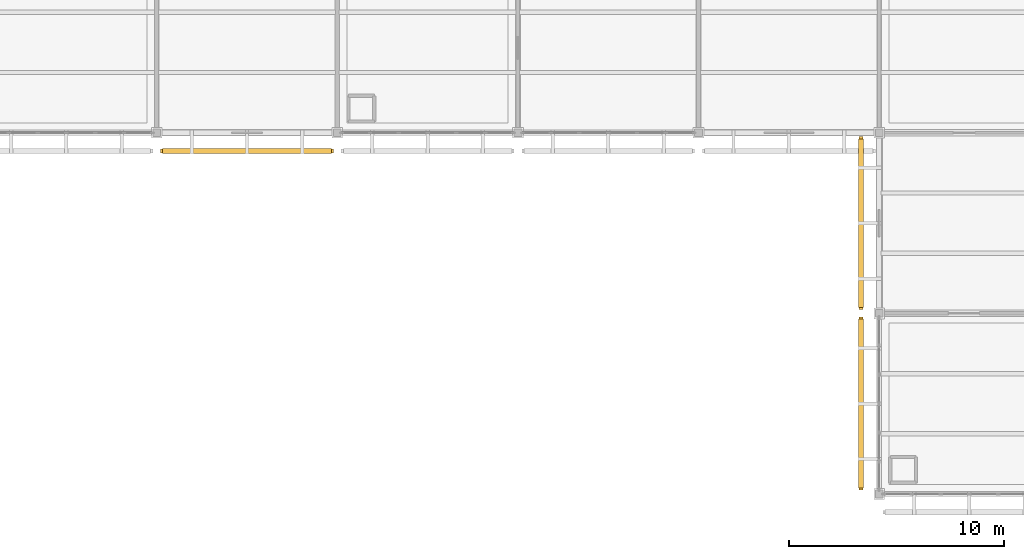
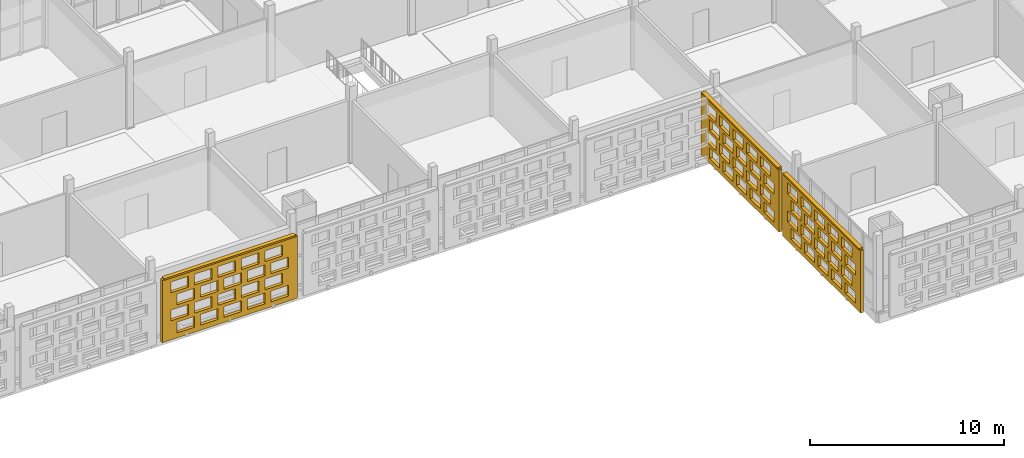
# One storey, part 150 of 203: 3 coverings, 3 shading devices, 60 openings.
"""IFC4 building model written with IfcOpenShell, lengths in metres."""

from ifc_helpers import new_model, si_unit, direction, frame, frame_2d, origin, origin_2d, place, context, subcontext, project, spatial, rectangle, extrude, material, layer, layer_set, type_object, element, save


model = new_model("IFC4")

# Units and contexts
model_context = context("Model", 3, precision=1e-05, world=origin(), true_north=direction((0.0, 1.0)))
body_context = subcontext(model_context, "Body", "Model", "MODEL_VIEW")
ifc_project = project(units=[si_unit("LENGTHUNIT", "METRE"), si_unit("AREAUNIT", "SQUARE_METRE"), si_unit("VOLUMEUNIT", "CUBIC_METRE"), si_unit("PLANEANGLEUNIT", "RADIAN"), si_unit("MASSUNIT", "GRAM", prefix="KILO")], contexts=[model_context])

# Site, building, storey
site_placement = place(None, origin())
site = spatial("IfcSite", under=ifc_project, at=site_placement, CompositionType="ELEMENT")
building_placement = place(site_placement, origin())
building = spatial("IfcBuilding", under=site, at=building_placement, Name="Varnapada Polytechnic", CompositionType="ELEMENT")
storey_placement = place(building_placement, frame((0.0, 0.0, 4.800048828125)))
storey = spatial("IfcBuildingStorey", under=building, at=storey_placement, Name="L01", CompositionType="ELEMENT", Elevation=4.800048828125)

# Covering, openings
ifc_material = material(Name="Earth-toned architectural terracotta screen block", Category="masonry")
ifc_layer_1 = layer(ifc_material, 0.1201171875)
ifc_layer_set_1 = layer_set([ifc_layer_1], Name="Earth-toned architectural terracotta screen block")
covering_type = type_object("IfcCoveringType", Name="Terracotta Screen Cladding CLD-01", PredefinedType="CLADDING", material=ifc_layer_set_1)
covering_1_placement = place(storey_placement, frame((100.6201171875, 15.949951171875, 0.0), z_axis=(0.0, 0.0, 1.0), x_axis=(-1.0, 0.0, 0.0)))
covering_1 = element("IfcCovering", 1, at=covering_1_placement, inside=storey, type_object=covering_type, Name="L01 perforated terracotta block screen (78)", PredefinedType="CLADDING", context=body_context, shape_type="SweptSolid", body=[
    extrude(rectangle(XDim=8.0400390625, YDim=0.179931640625, at=frame_2d((4.02001953125, 0.0))), origin(), (0.0, 0.0, 1.0), 3.919921875),
])
opening_1_placement = place(covering_1_placement, frame((0.52001953125, 0.0, 0.313720703125)))
element("IfcOpeningElement", 2, at=opening_1_placement, cuts=covering_1, Name="Screen perforation TBS-L01-077.1", PredefinedType="OPENING", context=body_context, shape_type="SweptSolid", body=[
    extrude(rectangle(XDim=1.0400390625, YDim=0.679931640625, at=frame_2d((0.52001953125, 0.33984375))), frame((0.0, 0.099853515625, 0.0), z_axis=(0.0, -1.0, 0.0), x_axis=(1.0, 0.0, 0.0)), (0.0, 0.0, 1.0), 0.199951171875),
])
opening_2_placement = place(covering_1_placement, frame((1.919921875, 0.0, 0.313720703125)))
element("IfcOpeningElement", 3, at=opening_2_placement, cuts=covering_1, Name="Screen perforation TBS-L01-077.2", PredefinedType="OPENING", context=body_context, shape_type="SweptSolid", body=[
    extrude(rectangle(XDim=1.0400390625, YDim=0.679931640625, at=frame_2d((0.52001953125, 0.33984375))), frame((0.0, 0.099853515625, 0.0), z_axis=(0.0, -1.0, 0.0), x_axis=(1.0, 0.0, 0.0)), (0.0, 0.0, 1.0), 0.199951171875),
])
opening_3_placement = place(covering_1_placement, frame((3.320068359375, 0.0, 0.313720703125)))
element("IfcOpeningElement", 4, at=opening_3_placement, cuts=covering_1, Name="Screen perforation TBS-L01-077.3", PredefinedType="OPENING", context=body_context, shape_type="SweptSolid", body=[
    extrude(rectangle(XDim=1.0400390625, YDim=0.679931640625, at=frame_2d((0.52001953125, 0.33984375))), frame((0.0, 0.099853515625, 0.0), z_axis=(0.0, -1.0, 0.0), x_axis=(1.0, 0.0, 0.0)), (0.0, 0.0, 1.0), 0.199951171875),
])
opening_4_placement = place(covering_1_placement, frame((4.719970703125, 0.0, 0.313720703125)))
element("IfcOpeningElement", 5, at=opening_4_placement, cuts=covering_1, Name="Screen perforation TBS-L01-077.4", PredefinedType="OPENING", context=body_context, shape_type="SweptSolid", body=[
    extrude(rectangle(XDim=1.0400390625, YDim=0.679931640625, at=frame_2d((0.52001953125, 0.33984375))), frame((0.0, 0.099853515625, 0.0), z_axis=(0.0, -1.0, 0.0), x_axis=(1.0, 0.0, 0.0)), (0.0, 0.0, 1.0), 0.199951171875),
])
opening_5_placement = place(covering_1_placement, frame((6.1201171875, 0.0, 0.313720703125)))
element("IfcOpeningElement", 6, at=opening_5_placement, cuts=covering_1, Name="Screen perforation TBS-L01-077.5", PredefinedType="OPENING", context=body_context, shape_type="SweptSolid", body=[
    extrude(rectangle(XDim=1.0400390625, YDim=0.679931640625, at=frame_2d((0.52001953125, 0.33984375))), frame((0.0, 0.099853515625, 0.0), z_axis=(0.0, -1.0, 0.0), x_axis=(1.0, 0.0, 0.0)), (0.0, 0.0, 1.0), 0.199951171875),
])
opening_6_placement = place(covering_1_placement, frame((0.8798828125, 0.0, 1.195556640625)))
element("IfcOpeningElement", 7, at=opening_6_placement, cuts=covering_1, Name="Screen perforation TBS-L01-077.6", PredefinedType="OPENING", context=body_context, shape_type="SweptSolid", body=[
    extrude(rectangle(XDim=1.0400390625, YDim=0.679931640625, at=frame_2d((0.52001953125, 0.33984375))), frame((0.0, 0.099853515625, 0.0), z_axis=(0.0, -1.0, 0.0), x_axis=(1.0, 0.0, 0.0)), (0.0, 0.0, 1.0), 0.199951171875),
])
opening_7_placement = place(covering_1_placement, frame((2.280029296875, 0.0, 1.195556640625)))
element("IfcOpeningElement", 8, at=opening_7_placement, cuts=covering_1, Name="Screen perforation TBS-L01-077.7", PredefinedType="OPENING", context=body_context, shape_type="SweptSolid", body=[
    extrude(rectangle(XDim=1.0400390625, YDim=0.679931640625, at=frame_2d((0.52001953125, 0.33984375))), frame((0.0, 0.099853515625, 0.0), z_axis=(0.0, -1.0, 0.0), x_axis=(1.0, 0.0, 0.0)), (0.0, 0.0, 1.0), 0.199951171875),
])
opening_8_placement = place(covering_1_placement, frame((3.679931640625, 0.0, 1.195556640625)))
element("IfcOpeningElement", 9, at=opening_8_placement, cuts=covering_1, Name="Screen perforation TBS-L01-077.8", PredefinedType="OPENING", context=body_context, shape_type="SweptSolid", body=[
    extrude(rectangle(XDim=1.0400390625, YDim=0.679931640625, at=frame_2d((0.52001953125, 0.33984375))), frame((0.0, 0.099853515625, 0.0), z_axis=(0.0, -1.0, 0.0), x_axis=(1.0, 0.0, 0.0)), (0.0, 0.0, 1.0), 0.199951171875),
])
opening_9_placement = place(covering_1_placement, frame((5.080078125, 0.0, 1.195556640625)))
element("IfcOpeningElement", 10, at=opening_9_placement, cuts=covering_1, Name="Screen perforation TBS-L01-077.9", PredefinedType="OPENING", context=body_context, shape_type="SweptSolid", body=[
    extrude(rectangle(XDim=1.0400390625, YDim=0.679931640625, at=frame_2d((0.52001953125, 0.33984375))), frame((0.0, 0.099853515625, 0.0), z_axis=(0.0, -1.0, 0.0), x_axis=(1.0, 0.0, 0.0)), (0.0, 0.0, 1.0), 0.199951171875),
])
opening_10_placement = place(covering_1_placement, frame((6.47998046875, 0.0, 1.195556640625)))
element("IfcOpeningElement", 11, at=opening_10_placement, cuts=covering_1, Name="Screen perforation TBS-L01-077.10", PredefinedType="OPENING", context=body_context, shape_type="SweptSolid", body=[
    extrude(rectangle(XDim=1.0400390625, YDim=0.679931640625, at=frame_2d((0.52001953125, 0.33984375))), frame((0.0, 0.099853515625, 0.0), z_axis=(0.0, -1.0, 0.0), x_axis=(1.0, 0.0, 0.0)), (0.0, 0.0, 1.0), 0.199951171875),
])
opening_11_placement = place(covering_1_placement, frame((0.52001953125, 0.0, 2.07763671875)))
element("IfcOpeningElement", 12, at=opening_11_placement, cuts=covering_1, Name="Screen perforation TBS-L01-077.11", PredefinedType="OPENING", context=body_context, shape_type="SweptSolid", body=[
    extrude(rectangle(XDim=1.0400390625, YDim=0.679931640625, at=frame_2d((0.52001953125, 0.33984375))), frame((0.0, 0.099853515625, 0.0), z_axis=(0.0, -1.0, 0.0), x_axis=(1.0, 0.0, 0.0)), (0.0, 0.0, 1.0), 0.199951171875),
])
opening_12_placement = place(covering_1_placement, frame((1.919921875, 0.0, 2.07763671875)))
element("IfcOpeningElement", 13, at=opening_12_placement, cuts=covering_1, Name="Screen perforation TBS-L01-077.12", PredefinedType="OPENING", context=body_context, shape_type="SweptSolid", body=[
    extrude(rectangle(XDim=1.0400390625, YDim=0.679931640625, at=frame_2d((0.52001953125, 0.33984375))), frame((0.0, 0.099853515625, 0.0), z_axis=(0.0, -1.0, 0.0), x_axis=(1.0, 0.0, 0.0)), (0.0, 0.0, 1.0), 0.199951171875),
])
opening_13_placement = place(covering_1_placement, frame((3.320068359375, 0.0, 2.07763671875)))
element("IfcOpeningElement", 14, at=opening_13_placement, cuts=covering_1, Name="Screen perforation TBS-L01-077.13", PredefinedType="OPENING", context=body_context, shape_type="SweptSolid", body=[
    extrude(rectangle(XDim=1.0400390625, YDim=0.679931640625, at=frame_2d((0.52001953125, 0.33984375))), frame((0.0, 0.099853515625, 0.0), z_axis=(0.0, -1.0, 0.0), x_axis=(1.0, 0.0, 0.0)), (0.0, 0.0, 1.0), 0.199951171875),
])
opening_14_placement = place(covering_1_placement, frame((4.719970703125, 0.0, 2.07763671875)))
element("IfcOpeningElement", 15, at=opening_14_placement, cuts=covering_1, Name="Screen perforation TBS-L01-077.14", PredefinedType="OPENING", context=body_context, shape_type="SweptSolid", body=[
    extrude(rectangle(XDim=1.0400390625, YDim=0.679931640625, at=frame_2d((0.52001953125, 0.33984375))), frame((0.0, 0.099853515625, 0.0), z_axis=(0.0, -1.0, 0.0), x_axis=(1.0, 0.0, 0.0)), (0.0, 0.0, 1.0), 0.199951171875),
])
opening_15_placement = place(covering_1_placement, frame((6.1201171875, 0.0, 2.07763671875)))
element("IfcOpeningElement", 16, at=opening_15_placement, cuts=covering_1, Name="Screen perforation TBS-L01-077.15", PredefinedType="OPENING", context=body_context, shape_type="SweptSolid", body=[
    extrude(rectangle(XDim=1.0400390625, YDim=0.679931640625, at=frame_2d((0.52001953125, 0.33984375))), frame((0.0, 0.099853515625, 0.0), z_axis=(0.0, -1.0, 0.0), x_axis=(1.0, 0.0, 0.0)), (0.0, 0.0, 1.0), 0.199951171875),
])
opening_16_placement = place(covering_1_placement, frame((0.8798828125, 0.0, 2.959716796875)))
element("IfcOpeningElement", 17, at=opening_16_placement, cuts=covering_1, Name="Screen perforation TBS-L01-077.16", PredefinedType="OPENING", context=body_context, shape_type="SweptSolid", body=[
    extrude(rectangle(XDim=1.0400390625, YDim=0.679931640625, at=frame_2d((0.52001953125, 0.33984375))), frame((0.0, 0.099853515625, 0.0), z_axis=(0.0, -1.0, 0.0), x_axis=(1.0, 0.0, 0.0)), (0.0, 0.0, 1.0), 0.199951171875),
])
opening_17_placement = place(covering_1_placement, frame((2.280029296875, 0.0, 2.959716796875)))
element("IfcOpeningElement", 18, at=opening_17_placement, cuts=covering_1, Name="Screen perforation TBS-L01-077.17", PredefinedType="OPENING", context=body_context, shape_type="SweptSolid", body=[
    extrude(rectangle(XDim=1.0400390625, YDim=0.679931640625, at=frame_2d((0.52001953125, 0.33984375))), frame((0.0, 0.099853515625, 0.0), z_axis=(0.0, -1.0, 0.0), x_axis=(1.0, 0.0, 0.0)), (0.0, 0.0, 1.0), 0.199951171875),
])
opening_18_placement = place(covering_1_placement, frame((3.679931640625, 0.0, 2.959716796875)))
element("IfcOpeningElement", 19, at=opening_18_placement, cuts=covering_1, Name="Screen perforation TBS-L01-077.18", PredefinedType="OPENING", context=body_context, shape_type="SweptSolid", body=[
    extrude(rectangle(XDim=1.0400390625, YDim=0.679931640625, at=frame_2d((0.52001953125, 0.33984375))), frame((0.0, 0.099853515625, 0.0), z_axis=(0.0, -1.0, 0.0), x_axis=(1.0, 0.0, 0.0)), (0.0, 0.0, 1.0), 0.199951171875),
])
opening_19_placement = place(covering_1_placement, frame((5.080078125, 0.0, 2.959716796875)))
element("IfcOpeningElement", 20, at=opening_19_placement, cuts=covering_1, Name="Screen perforation TBS-L01-077.19", PredefinedType="OPENING", context=body_context, shape_type="SweptSolid", body=[
    extrude(rectangle(XDim=1.0400390625, YDim=0.679931640625, at=frame_2d((0.52001953125, 0.33984375))), frame((0.0, 0.099853515625, 0.0), z_axis=(0.0, -1.0, 0.0), x_axis=(1.0, 0.0, 0.0)), (0.0, 0.0, 1.0), 0.199951171875),
])
opening_20_placement = place(covering_1_placement, frame((6.47998046875, 0.0, 2.959716796875)))
element("IfcOpeningElement", 21, at=opening_20_placement, cuts=covering_1, Name="Screen perforation TBS-L01-077.20", PredefinedType="OPENING", context=body_context, shape_type="SweptSolid", body=[
    extrude(rectangle(XDim=1.0400390625, YDim=0.679931640625, at=frame_2d((0.52001953125, 0.33984375))), frame((0.0, 0.099853515625, 0.0), z_axis=(0.0, -1.0, 0.0), x_axis=(1.0, 0.0, 0.0)), (0.0, 0.0, 1.0), 0.199951171875),
])

covering_2_placement = place(storey_placement, frame((125.14990234375, 0.179931640625, 0.0), z_axis=(0.0, 0.0, 1.0), x_axis=(0.0, 1.0, 0.0)))
covering_2 = element("IfcCovering", 22, at=covering_2_placement, inside=storey, type_object=covering_type, Name="L01 perforated terracotta block screen (103)", PredefinedType="CLADDING", context=body_context, shape_type="SweptSolid", body=[
    extrude(rectangle(XDim=8.050048828125, YDim=0.179931640625, at=frame_2d((4.02490234375, 0.0))), origin(), (0.0, 0.0, 1.0), 3.919921875),
])
opening_21_placement = place(covering_2_placement, frame((0.52490234375, 0.0, 0.313720703125)))
element("IfcOpeningElement", 23, at=opening_21_placement, cuts=covering_2, Name="Screen perforation TBS-L01-102.1", PredefinedType="OPENING", context=body_context, shape_type="SweptSolid", body=[
    extrude(rectangle(XDim=1.0400390625, YDim=0.679931640625, at=frame_2d((0.52001953125, 0.33984375))), frame((0.0, 0.099853515625, 0.0), z_axis=(0.0, -1.0, 0.0), x_axis=(1.0, 0.0, 0.0)), (0.0, 0.0, 1.0), 0.199951171875),
])
opening_22_placement = place(covering_2_placement, frame((1.925048828125, 0.0, 0.313720703125)))
element("IfcOpeningElement", 24, at=opening_22_placement, cuts=covering_2, Name="Screen perforation TBS-L01-102.2", PredefinedType="OPENING", context=body_context, shape_type="SweptSolid", body=[
    extrude(rectangle(XDim=1.0400390625, YDim=0.679931640625, at=frame_2d((0.52001953125, 0.33984375))), frame((0.0, 0.099853515625, 0.0), z_axis=(0.0, -1.0, 0.0), x_axis=(1.0, 0.0, 0.0)), (0.0, 0.0, 1.0), 0.199951171875),
])
opening_23_placement = place(covering_2_placement, frame((3.324951171875, 0.0, 0.313720703125)))
element("IfcOpeningElement", 25, at=opening_23_placement, cuts=covering_2, Name="Screen perforation TBS-L01-102.3", PredefinedType="OPENING", context=body_context, shape_type="SweptSolid", body=[
    extrude(rectangle(XDim=1.0400390625, YDim=0.679931640625, at=frame_2d((0.52001953125, 0.33984375))), frame((0.0, 0.099853515625, 0.0), z_axis=(0.0, -1.0, 0.0), x_axis=(1.0, 0.0, 0.0)), (0.0, 0.0, 1.0), 0.199951171875),
])
opening_24_placement = place(covering_2_placement, frame((4.72509765625, 0.0, 0.313720703125)))
element("IfcOpeningElement", 26, at=opening_24_placement, cuts=covering_2, Name="Screen perforation TBS-L01-102.4", PredefinedType="OPENING", context=body_context, shape_type="SweptSolid", body=[
    extrude(rectangle(XDim=1.0400390625, YDim=0.679931640625, at=frame_2d((0.52001953125, 0.33984375))), frame((0.0, 0.099853515625, 0.0), z_axis=(0.0, -1.0, 0.0), x_axis=(1.0, 0.0, 0.0)), (0.0, 0.0, 1.0), 0.199951171875),
])
opening_25_placement = place(covering_2_placement, frame((6.125, 0.0, 0.313720703125)))
element("IfcOpeningElement", 27, at=opening_25_placement, cuts=covering_2, Name="Screen perforation TBS-L01-102.5", PredefinedType="OPENING", context=body_context, shape_type="SweptSolid", body=[
    extrude(rectangle(XDim=1.0400390625, YDim=0.679931640625, at=frame_2d((0.52001953125, 0.33984375))), frame((0.0, 0.099853515625, 0.0), z_axis=(0.0, -1.0, 0.0), x_axis=(1.0, 0.0, 0.0)), (0.0, 0.0, 1.0), 0.199951171875),
])
opening_26_placement = place(covering_2_placement, frame((0.885009765625, 0.0, 1.195556640625)))
element("IfcOpeningElement", 28, at=opening_26_placement, cuts=covering_2, Name="Screen perforation TBS-L01-102.6", PredefinedType="OPENING", context=body_context, shape_type="SweptSolid", body=[
    extrude(rectangle(XDim=1.0400390625, YDim=0.679931640625, at=frame_2d((0.52001953125, 0.33984375))), frame((0.0, 0.099853515625, 0.0), z_axis=(0.0, -1.0, 0.0), x_axis=(1.0, 0.0, 0.0)), (0.0, 0.0, 1.0), 0.199951171875),
])
opening_27_placement = place(covering_2_placement, frame((2.284912109375, 0.0, 1.195556640625)))
element("IfcOpeningElement", 29, at=opening_27_placement, cuts=covering_2, Name="Screen perforation TBS-L01-102.7", PredefinedType="OPENING", context=body_context, shape_type="SweptSolid", body=[
    extrude(rectangle(XDim=1.0400390625, YDim=0.679931640625, at=frame_2d((0.52001953125, 0.33984375))), frame((0.0, 0.099853515625, 0.0), z_axis=(0.0, -1.0, 0.0), x_axis=(1.0, 0.0, 0.0)), (0.0, 0.0, 1.0), 0.199951171875),
])
opening_28_placement = place(covering_2_placement, frame((3.68505859375, 0.0, 1.195556640625)))
element("IfcOpeningElement", 30, at=opening_28_placement, cuts=covering_2, Name="Screen perforation TBS-L01-102.8", PredefinedType="OPENING", context=body_context, shape_type="SweptSolid", body=[
    extrude(rectangle(XDim=1.0400390625, YDim=0.679931640625, at=frame_2d((0.52001953125, 0.33984375))), frame((0.0, 0.099853515625, 0.0), z_axis=(0.0, -1.0, 0.0), x_axis=(1.0, 0.0, 0.0)), (0.0, 0.0, 1.0), 0.199951171875),
])
opening_29_placement = place(covering_2_placement, frame((5.0849609375, 0.0, 1.195556640625)))
element("IfcOpeningElement", 31, at=opening_29_placement, cuts=covering_2, Name="Screen perforation TBS-L01-102.9", PredefinedType="OPENING", context=body_context, shape_type="SweptSolid", body=[
    extrude(rectangle(XDim=1.0400390625, YDim=0.679931640625, at=frame_2d((0.52001953125, 0.33984375))), frame((0.0, 0.099853515625, 0.0), z_axis=(0.0, -1.0, 0.0), x_axis=(1.0, 0.0, 0.0)), (0.0, 0.0, 1.0), 0.199951171875),
])
opening_30_placement = place(covering_2_placement, frame((6.485107421875, 0.0, 1.195556640625)))
element("IfcOpeningElement", 32, at=opening_30_placement, cuts=covering_2, Name="Screen perforation TBS-L01-102.10", PredefinedType="OPENING", context=body_context, shape_type="SweptSolid", body=[
    extrude(rectangle(XDim=1.0400390625, YDim=0.679931640625, at=frame_2d((0.52001953125, 0.33984375))), frame((0.0, 0.099853515625, 0.0), z_axis=(0.0, -1.0, 0.0), x_axis=(1.0, 0.0, 0.0)), (0.0, 0.0, 1.0), 0.199951171875),
])
opening_31_placement = place(covering_2_placement, frame((0.52490234375, 0.0, 2.07763671875)))
element("IfcOpeningElement", 33, at=opening_31_placement, cuts=covering_2, Name="Screen perforation TBS-L01-102.11", PredefinedType="OPENING", context=body_context, shape_type="SweptSolid", body=[
    extrude(rectangle(XDim=1.0400390625, YDim=0.679931640625, at=frame_2d((0.52001953125, 0.33984375))), frame((0.0, 0.099853515625, 0.0), z_axis=(0.0, -1.0, 0.0), x_axis=(1.0, 0.0, 0.0)), (0.0, 0.0, 1.0), 0.199951171875),
])
opening_32_placement = place(covering_2_placement, frame((1.925048828125, 0.0, 2.07763671875)))
element("IfcOpeningElement", 34, at=opening_32_placement, cuts=covering_2, Name="Screen perforation TBS-L01-102.12", PredefinedType="OPENING", context=body_context, shape_type="SweptSolid", body=[
    extrude(rectangle(XDim=1.0400390625, YDim=0.679931640625, at=frame_2d((0.52001953125, 0.33984375))), frame((0.0, 0.099853515625, 0.0), z_axis=(0.0, -1.0, 0.0), x_axis=(1.0, 0.0, 0.0)), (0.0, 0.0, 1.0), 0.199951171875),
])
opening_33_placement = place(covering_2_placement, frame((3.324951171875, 0.0, 2.07763671875)))
element("IfcOpeningElement", 35, at=opening_33_placement, cuts=covering_2, Name="Screen perforation TBS-L01-102.13", PredefinedType="OPENING", context=body_context, shape_type="SweptSolid", body=[
    extrude(rectangle(XDim=1.0400390625, YDim=0.679931640625, at=frame_2d((0.52001953125, 0.33984375))), frame((0.0, 0.099853515625, 0.0), z_axis=(0.0, -1.0, 0.0), x_axis=(1.0, 0.0, 0.0)), (0.0, 0.0, 1.0), 0.199951171875),
])
opening_34_placement = place(covering_2_placement, frame((4.72509765625, 0.0, 2.07763671875)))
element("IfcOpeningElement", 36, at=opening_34_placement, cuts=covering_2, Name="Screen perforation TBS-L01-102.14", PredefinedType="OPENING", context=body_context, shape_type="SweptSolid", body=[
    extrude(rectangle(XDim=1.0400390625, YDim=0.679931640625, at=frame_2d((0.52001953125, 0.33984375))), frame((0.0, 0.099853515625, 0.0), z_axis=(0.0, -1.0, 0.0), x_axis=(1.0, 0.0, 0.0)), (0.0, 0.0, 1.0), 0.199951171875),
])
opening_35_placement = place(covering_2_placement, frame((6.125, 0.0, 2.07763671875)))
element("IfcOpeningElement", 37, at=opening_35_placement, cuts=covering_2, Name="Screen perforation TBS-L01-102.15", PredefinedType="OPENING", context=body_context, shape_type="SweptSolid", body=[
    extrude(rectangle(XDim=1.0400390625, YDim=0.679931640625, at=frame_2d((0.52001953125, 0.33984375))), frame((0.0, 0.099853515625, 0.0), z_axis=(0.0, -1.0, 0.0), x_axis=(1.0, 0.0, 0.0)), (0.0, 0.0, 1.0), 0.199951171875),
])
opening_36_placement = place(covering_2_placement, frame((0.885009765625, 0.0, 2.959716796875)))
element("IfcOpeningElement", 38, at=opening_36_placement, cuts=covering_2, Name="Screen perforation TBS-L01-102.16", PredefinedType="OPENING", context=body_context, shape_type="SweptSolid", body=[
    extrude(rectangle(XDim=1.0400390625, YDim=0.679931640625, at=frame_2d((0.52001953125, 0.33984375))), frame((0.0, 0.099853515625, 0.0), z_axis=(0.0, -1.0, 0.0), x_axis=(1.0, 0.0, 0.0)), (0.0, 0.0, 1.0), 0.199951171875),
])
opening_37_placement = place(covering_2_placement, frame((2.284912109375, 0.0, 2.959716796875)))
element("IfcOpeningElement", 39, at=opening_37_placement, cuts=covering_2, Name="Screen perforation TBS-L01-102.17", PredefinedType="OPENING", context=body_context, shape_type="SweptSolid", body=[
    extrude(rectangle(XDim=1.0400390625, YDim=0.679931640625, at=frame_2d((0.52001953125, 0.33984375))), frame((0.0, 0.099853515625, 0.0), z_axis=(0.0, -1.0, 0.0), x_axis=(1.0, 0.0, 0.0)), (0.0, 0.0, 1.0), 0.199951171875),
])
opening_38_placement = place(covering_2_placement, frame((3.68505859375, 0.0, 2.959716796875)))
element("IfcOpeningElement", 40, at=opening_38_placement, cuts=covering_2, Name="Screen perforation TBS-L01-102.18", PredefinedType="OPENING", context=body_context, shape_type="SweptSolid", body=[
    extrude(rectangle(XDim=1.0400390625, YDim=0.679931640625, at=frame_2d((0.52001953125, 0.33984375))), frame((0.0, 0.099853515625, 0.0), z_axis=(0.0, -1.0, 0.0), x_axis=(1.0, 0.0, 0.0)), (0.0, 0.0, 1.0), 0.199951171875),
])
opening_39_placement = place(covering_2_placement, frame((5.0849609375, 0.0, 2.959716796875)))
element("IfcOpeningElement", 41, at=opening_39_placement, cuts=covering_2, Name="Screen perforation TBS-L01-102.19", PredefinedType="OPENING", context=body_context, shape_type="SweptSolid", body=[
    extrude(rectangle(XDim=1.0400390625, YDim=0.679931640625, at=frame_2d((0.52001953125, 0.33984375))), frame((0.0, 0.099853515625, 0.0), z_axis=(0.0, -1.0, 0.0), x_axis=(1.0, 0.0, 0.0)), (0.0, 0.0, 1.0), 0.199951171875),
])
opening_40_placement = place(covering_2_placement, frame((6.485107421875, 0.0, 2.959716796875)))
element("IfcOpeningElement", 42, at=opening_40_placement, cuts=covering_2, Name="Screen perforation TBS-L01-102.20", PredefinedType="OPENING", context=body_context, shape_type="SweptSolid", body=[
    extrude(rectangle(XDim=1.0400390625, YDim=0.679931640625, at=frame_2d((0.52001953125, 0.33984375))), frame((0.0, 0.099853515625, 0.0), z_axis=(0.0, -1.0, 0.0), x_axis=(1.0, 0.0, 0.0)), (0.0, 0.0, 1.0), 0.199951171875),
])

covering_3_placement = place(storey_placement, frame((125.14990234375, 8.570068359375, 0.0), z_axis=(0.0, 0.0, 1.0), x_axis=(0.0, 1.0, 0.0)))
covering_3 = element("IfcCovering", 43, at=covering_3_placement, inside=storey, type_object=covering_type, Name="L01 perforated terracotta block screen (104)", PredefinedType="CLADDING", context=body_context, shape_type="SweptSolid", body=[
    extrude(rectangle(XDim=8.050048828125, YDim=0.179931640625, at=frame_2d((4.02490234375, 0.0))), origin(), (0.0, 0.0, 1.0), 3.919921875),
])
opening_41_placement = place(covering_3_placement, frame((0.52490234375, 0.0, 0.313720703125)))
element("IfcOpeningElement", 44, at=opening_41_placement, cuts=covering_3, Name="Screen perforation TBS-L01-103.1", PredefinedType="OPENING", context=body_context, shape_type="SweptSolid", body=[
    extrude(rectangle(XDim=1.0400390625, YDim=0.679931640625, at=frame_2d((0.52001953125, 0.33984375))), frame((0.0, 0.099853515625, 0.0), z_axis=(0.0, -1.0, 0.0), x_axis=(1.0, 0.0, 0.0)), (0.0, 0.0, 1.0), 0.199951171875),
])
opening_42_placement = place(covering_3_placement, frame((1.925048828125, 0.0, 0.313720703125)))
element("IfcOpeningElement", 45, at=opening_42_placement, cuts=covering_3, Name="Screen perforation TBS-L01-103.2", PredefinedType="OPENING", context=body_context, shape_type="SweptSolid", body=[
    extrude(rectangle(XDim=1.0400390625, YDim=0.679931640625, at=frame_2d((0.52001953125, 0.33984375))), frame((0.0, 0.099853515625, 0.0), z_axis=(0.0, -1.0, 0.0), x_axis=(1.0, 0.0, 0.0)), (0.0, 0.0, 1.0), 0.199951171875),
])
opening_43_placement = place(covering_3_placement, frame((3.324951171875, 0.0, 0.313720703125)))
element("IfcOpeningElement", 46, at=opening_43_placement, cuts=covering_3, Name="Screen perforation TBS-L01-103.3", PredefinedType="OPENING", context=body_context, shape_type="SweptSolid", body=[
    extrude(rectangle(XDim=1.0400390625, YDim=0.679931640625, at=frame_2d((0.52001953125, 0.33984375))), frame((0.0, 0.099853515625, 0.0), z_axis=(0.0, -1.0, 0.0), x_axis=(1.0, 0.0, 0.0)), (0.0, 0.0, 1.0), 0.199951171875),
])
opening_44_placement = place(covering_3_placement, frame((4.72509765625, 0.0, 0.313720703125)))
element("IfcOpeningElement", 47, at=opening_44_placement, cuts=covering_3, Name="Screen perforation TBS-L01-103.4", PredefinedType="OPENING", context=body_context, shape_type="SweptSolid", body=[
    extrude(rectangle(XDim=1.0400390625, YDim=0.679931640625, at=frame_2d((0.52001953125, 0.33984375))), frame((0.0, 0.099853515625, 0.0), z_axis=(0.0, -1.0, 0.0), x_axis=(1.0, 0.0, 0.0)), (0.0, 0.0, 1.0), 0.199951171875),
])
opening_45_placement = place(covering_3_placement, frame((6.125, 0.0, 0.313720703125)))
element("IfcOpeningElement", 48, at=opening_45_placement, cuts=covering_3, Name="Screen perforation TBS-L01-103.5", PredefinedType="OPENING", context=body_context, shape_type="SweptSolid", body=[
    extrude(rectangle(XDim=1.0400390625, YDim=0.679931640625, at=frame_2d((0.52001953125, 0.33984375))), frame((0.0, 0.099853515625, 0.0), z_axis=(0.0, -1.0, 0.0), x_axis=(1.0, 0.0, 0.0)), (0.0, 0.0, 1.0), 0.199951171875),
])
opening_46_placement = place(covering_3_placement, frame((0.885009765625, 0.0, 1.195556640625)))
element("IfcOpeningElement", 49, at=opening_46_placement, cuts=covering_3, Name="Screen perforation TBS-L01-103.6", PredefinedType="OPENING", context=body_context, shape_type="SweptSolid", body=[
    extrude(rectangle(XDim=1.0400390625, YDim=0.679931640625, at=frame_2d((0.52001953125, 0.33984375))), frame((0.0, 0.099853515625, 0.0), z_axis=(0.0, -1.0, 0.0), x_axis=(1.0, 0.0, 0.0)), (0.0, 0.0, 1.0), 0.199951171875),
])
opening_47_placement = place(covering_3_placement, frame((2.284912109375, 0.0, 1.195556640625)))
element("IfcOpeningElement", 50, at=opening_47_placement, cuts=covering_3, Name="Screen perforation TBS-L01-103.7", PredefinedType="OPENING", context=body_context, shape_type="SweptSolid", body=[
    extrude(rectangle(XDim=1.0400390625, YDim=0.679931640625, at=frame_2d((0.52001953125, 0.33984375))), frame((0.0, 0.099853515625, 0.0), z_axis=(0.0, -1.0, 0.0), x_axis=(1.0, 0.0, 0.0)), (0.0, 0.0, 1.0), 0.199951171875),
])
opening_48_placement = place(covering_3_placement, frame((3.68505859375, 0.0, 1.195556640625)))
element("IfcOpeningElement", 51, at=opening_48_placement, cuts=covering_3, Name="Screen perforation TBS-L01-103.8", PredefinedType="OPENING", context=body_context, shape_type="SweptSolid", body=[
    extrude(rectangle(XDim=1.0400390625, YDim=0.679931640625, at=frame_2d((0.52001953125, 0.33984375))), frame((0.0, 0.099853515625, 0.0), z_axis=(0.0, -1.0, 0.0), x_axis=(1.0, 0.0, 0.0)), (0.0, 0.0, 1.0), 0.199951171875),
])
opening_49_placement = place(covering_3_placement, frame((5.0849609375, 0.0, 1.195556640625)))
element("IfcOpeningElement", 52, at=opening_49_placement, cuts=covering_3, Name="Screen perforation TBS-L01-103.9", PredefinedType="OPENING", context=body_context, shape_type="SweptSolid", body=[
    extrude(rectangle(XDim=1.0400390625, YDim=0.679931640625, at=frame_2d((0.52001953125, 0.33984375))), frame((0.0, 0.099853515625, 0.0), z_axis=(0.0, -1.0, 0.0), x_axis=(1.0, 0.0, 0.0)), (0.0, 0.0, 1.0), 0.199951171875),
])
opening_50_placement = place(covering_3_placement, frame((6.485107421875, 0.0, 1.195556640625)))
element("IfcOpeningElement", 53, at=opening_50_placement, cuts=covering_3, Name="Screen perforation TBS-L01-103.10", PredefinedType="OPENING", context=body_context, shape_type="SweptSolid", body=[
    extrude(rectangle(XDim=1.0400390625, YDim=0.679931640625, at=frame_2d((0.52001953125, 0.33984375))), frame((0.0, 0.099853515625, 0.0), z_axis=(0.0, -1.0, 0.0), x_axis=(1.0, 0.0, 0.0)), (0.0, 0.0, 1.0), 0.199951171875),
])
opening_51_placement = place(covering_3_placement, frame((0.52490234375, 0.0, 2.07763671875)))
element("IfcOpeningElement", 54, at=opening_51_placement, cuts=covering_3, Name="Screen perforation TBS-L01-103.11", PredefinedType="OPENING", context=body_context, shape_type="SweptSolid", body=[
    extrude(rectangle(XDim=1.0400390625, YDim=0.679931640625, at=frame_2d((0.52001953125, 0.33984375))), frame((0.0, 0.099853515625, 0.0), z_axis=(0.0, -1.0, 0.0), x_axis=(1.0, 0.0, 0.0)), (0.0, 0.0, 1.0), 0.199951171875),
])
opening_52_placement = place(covering_3_placement, frame((1.925048828125, 0.0, 2.07763671875)))
element("IfcOpeningElement", 55, at=opening_52_placement, cuts=covering_3, Name="Screen perforation TBS-L01-103.12", PredefinedType="OPENING", context=body_context, shape_type="SweptSolid", body=[
    extrude(rectangle(XDim=1.0400390625, YDim=0.679931640625, at=frame_2d((0.52001953125, 0.33984375))), frame((0.0, 0.099853515625, 0.0), z_axis=(0.0, -1.0, 0.0), x_axis=(1.0, 0.0, 0.0)), (0.0, 0.0, 1.0), 0.199951171875),
])
opening_53_placement = place(covering_3_placement, frame((3.324951171875, 0.0, 2.07763671875)))
element("IfcOpeningElement", 56, at=opening_53_placement, cuts=covering_3, Name="Screen perforation TBS-L01-103.13", PredefinedType="OPENING", context=body_context, shape_type="SweptSolid", body=[
    extrude(rectangle(XDim=1.0400390625, YDim=0.679931640625, at=frame_2d((0.52001953125, 0.33984375))), frame((0.0, 0.099853515625, 0.0), z_axis=(0.0, -1.0, 0.0), x_axis=(1.0, 0.0, 0.0)), (0.0, 0.0, 1.0), 0.199951171875),
])
opening_54_placement = place(covering_3_placement, frame((4.72509765625, 0.0, 2.07763671875)))
element("IfcOpeningElement", 57, at=opening_54_placement, cuts=covering_3, Name="Screen perforation TBS-L01-103.14", PredefinedType="OPENING", context=body_context, shape_type="SweptSolid", body=[
    extrude(rectangle(XDim=1.0400390625, YDim=0.679931640625, at=frame_2d((0.52001953125, 0.33984375))), frame((0.0, 0.099853515625, 0.0), z_axis=(0.0, -1.0, 0.0), x_axis=(1.0, 0.0, 0.0)), (0.0, 0.0, 1.0), 0.199951171875),
])
opening_55_placement = place(covering_3_placement, frame((6.125, 0.0, 2.07763671875)))
element("IfcOpeningElement", 58, at=opening_55_placement, cuts=covering_3, Name="Screen perforation TBS-L01-103.15", PredefinedType="OPENING", context=body_context, shape_type="SweptSolid", body=[
    extrude(rectangle(XDim=1.0400390625, YDim=0.679931640625, at=frame_2d((0.52001953125, 0.33984375))), frame((0.0, 0.099853515625, 0.0), z_axis=(0.0, -1.0, 0.0), x_axis=(1.0, 0.0, 0.0)), (0.0, 0.0, 1.0), 0.199951171875),
])
opening_56_placement = place(covering_3_placement, frame((0.885009765625, 0.0, 2.959716796875)))
element("IfcOpeningElement", 59, at=opening_56_placement, cuts=covering_3, Name="Screen perforation TBS-L01-103.16", PredefinedType="OPENING", context=body_context, shape_type="SweptSolid", body=[
    extrude(rectangle(XDim=1.0400390625, YDim=0.679931640625, at=frame_2d((0.52001953125, 0.33984375))), frame((0.0, 0.099853515625, 0.0), z_axis=(0.0, -1.0, 0.0), x_axis=(1.0, 0.0, 0.0)), (0.0, 0.0, 1.0), 0.199951171875),
])
opening_57_placement = place(covering_3_placement, frame((2.284912109375, 0.0, 2.959716796875)))
element("IfcOpeningElement", 60, at=opening_57_placement, cuts=covering_3, Name="Screen perforation TBS-L01-103.17", PredefinedType="OPENING", context=body_context, shape_type="SweptSolid", body=[
    extrude(rectangle(XDim=1.0400390625, YDim=0.679931640625, at=frame_2d((0.52001953125, 0.33984375))), frame((0.0, 0.099853515625, 0.0), z_axis=(0.0, -1.0, 0.0), x_axis=(1.0, 0.0, 0.0)), (0.0, 0.0, 1.0), 0.199951171875),
])
opening_58_placement = place(covering_3_placement, frame((3.68505859375, 0.0, 2.959716796875)))
element("IfcOpeningElement", 61, at=opening_58_placement, cuts=covering_3, Name="Screen perforation TBS-L01-103.18", PredefinedType="OPENING", context=body_context, shape_type="SweptSolid", body=[
    extrude(rectangle(XDim=1.0400390625, YDim=0.679931640625, at=frame_2d((0.52001953125, 0.33984375))), frame((0.0, 0.099853515625, 0.0), z_axis=(0.0, -1.0, 0.0), x_axis=(1.0, 0.0, 0.0)), (0.0, 0.0, 1.0), 0.199951171875),
])
opening_59_placement = place(covering_3_placement, frame((5.0849609375, 0.0, 2.959716796875)))
element("IfcOpeningElement", 62, at=opening_59_placement, cuts=covering_3, Name="Screen perforation TBS-L01-103.19", PredefinedType="OPENING", context=body_context, shape_type="SweptSolid", body=[
    extrude(rectangle(XDim=1.0400390625, YDim=0.679931640625, at=frame_2d((0.52001953125, 0.33984375))), frame((0.0, 0.099853515625, 0.0), z_axis=(0.0, -1.0, 0.0), x_axis=(1.0, 0.0, 0.0)), (0.0, 0.0, 1.0), 0.199951171875),
])
opening_60_placement = place(covering_3_placement, frame((6.485107421875, 0.0, 2.959716796875)))
element("IfcOpeningElement", 63, at=opening_60_placement, cuts=covering_3, Name="Screen perforation TBS-L01-103.20", PredefinedType="OPENING", context=body_context, shape_type="SweptSolid", body=[
    extrude(rectangle(XDim=1.0400390625, YDim=0.679931640625, at=frame_2d((0.52001953125, 0.33984375))), frame((0.0, 0.099853515625, 0.0), z_axis=(0.0, -1.0, 0.0), x_axis=(1.0, 0.0, 0.0)), (0.0, 0.0, 1.0), 0.199951171875),
])

# Shading devices
ifc_layer_2 = layer(ifc_material, 0.179931640625)
ifc_layer_set_2 = layer_set([ifc_layer_2], Name="Earth-toned architectural terracotta screen block")
shading_device_type = type_object("IfcShadingDeviceType", Name="Terracotta Screen SCR-02", PredefinedType="USERDEFINED", material=ifc_layer_set_2)
shading_device_placement = place(storey_placement, frame((96.60009765625, 15.949951171875, 3.909912109375), z_axis=(0.0, 0.0, 1.0), x_axis=(-1.0, 0.0, 0.0)))
element("IfcShadingDevice", 64, at=shading_device_placement, inside=storey, type_object=shading_device_type, Name="L01 perforated terracotta screen hood 157", ObjectType="SCREEN", PredefinedType="USERDEFINED", context=body_context, shape_type="SweptSolid", body=[
    extrude(rectangle(XDim=7.840087890625, YDim=0.239990234375, at=origin_2d()), origin(), (0.0, 0.0, 1.0), 0.10009765625),
])
for number, where, z_axis, x_axis, name in (
    (65, (125.14990234375, 4.205078125, 3.909912109375), (0.0, 0.0, 1.0), (0.0, 1.0, 0.0), "L01 perforated terracotta screen hood 182"),
    (66, (125.14990234375, 12.594970703125, 3.909912109375), (0.0, 0.0, 1.0), (0.0, 1.0, 0.0), "L01 perforated terracotta screen hood 183"),
):
    element("IfcShadingDevice", number, at=place(storey_placement, frame(where, z_axis=z_axis, x_axis=x_axis)), inside=storey, type_object=shading_device_type, Name=name, ObjectType="SCREEN", PredefinedType="USERDEFINED", context=body_context, shape_type="SweptSolid", body=[
        extrude(rectangle(XDim=7.85009765625, YDim=0.239990234375, at=origin_2d()), origin(), (0.0, 0.0, 1.0), 0.10009765625),
    ])

save(model, "model.ifc")
